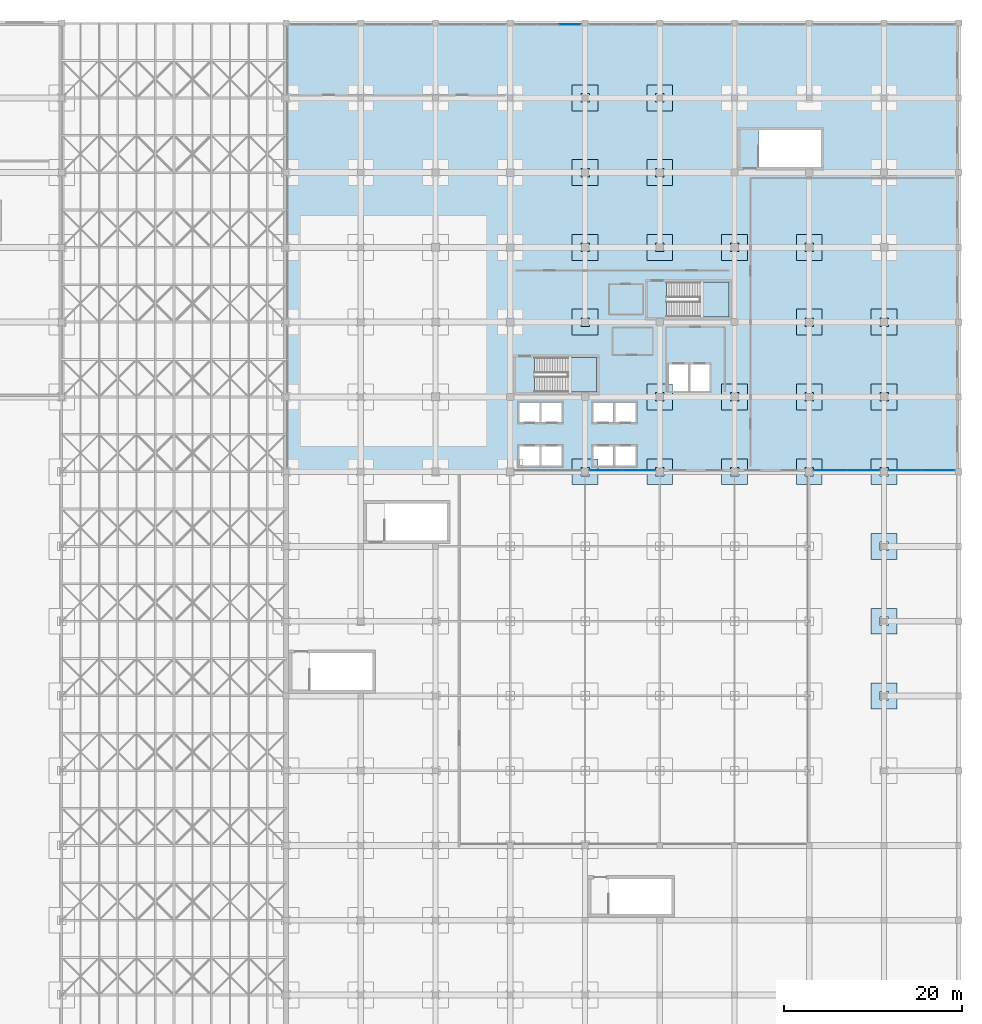
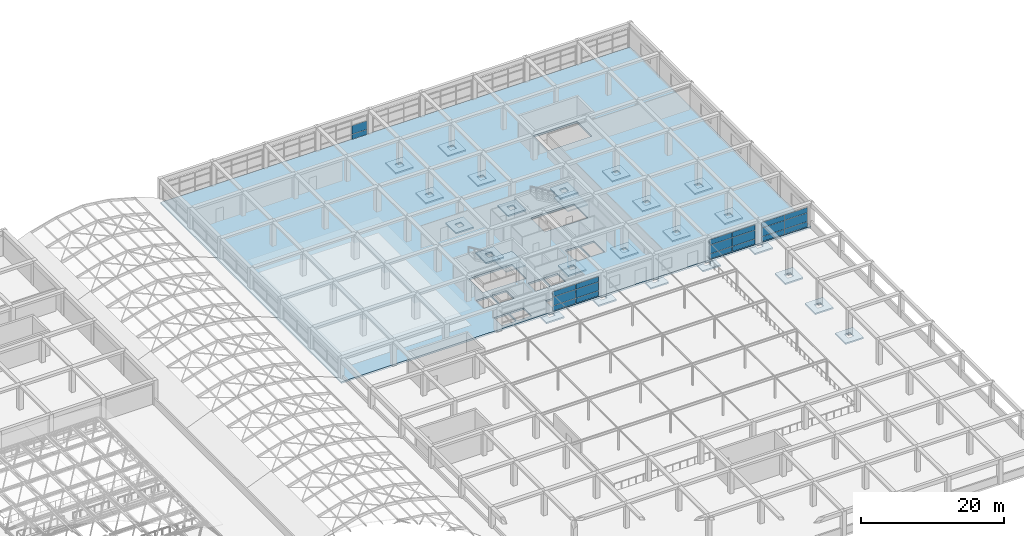
# One storey, part 71 of 85: 26 slabs, 20 plates, 6 elements without a shape of their own.
"""IFC4 building model written with IfcOpenShell, lengths in metres."""

from ifc_helpers import new_model, si_unit, direction, frame, origin, origin_2d, place, context, subcontext, project, spatial, polyline, rectangle, outline, extrude, material, layer, layer_set, type_object, element, aggregate, save


model = new_model("IFC4")

# Units and contexts
model_context = context("Model", 3, precision=1e-05, world=origin(), true_north=direction((0.0, 1.0)))
body_context = subcontext(model_context, "Body", "Model", "MODEL_VIEW")
ifc_project = project(units=[si_unit("LENGTHUNIT", "METRE"), si_unit("AREAUNIT", "SQUARE_METRE"), si_unit("VOLUMEUNIT", "CUBIC_METRE"), si_unit("PLANEANGLEUNIT", "RADIAN"), si_unit("MASSUNIT", "GRAM", prefix="KILO")], contexts=[model_context])

# Site, building, storey
site_placement = place(None, origin())
site = spatial("IfcSite", under=ifc_project, at=site_placement, CompositionType="ELEMENT")
building_placement = place(site_placement, origin())
building = spatial("IfcBuilding", under=site, at=building_placement, Name="Almacenes y Pasaje Nevantli", CompositionType="ELEMENT")
storey_placement = place(building_placement, frame((0.0, 0.0, 22.199951171875)))
storey = spatial("IfcBuildingStorey", under=building, at=storey_placement, Name="L05", CompositionType="ELEMENT", Elevation=22.199951171875)

# Curtain wall, plates
ifc_material_1 = material(Name="Thermally Broken Aluminium and Low-E Glass", Category="aluminium")
curtain_wall_type_1 = type_object("IfcCurtainWallType", Name="CW-UNIT-PODIUM", PredefinedType="USERDEFINED", material=ifc_material_1)
curtain_wall_1_placement = place(storey_placement, origin())
curtain_wall_1 = element("IfcCurtainWall", 1, at=curtain_wall_1_placement, inside=storey, type_object=curtain_wall_type_1, Name="L05 Sky-Lobby North Curtain Wall Bay 15", ObjectType="UNITIZED CURTAIN WALL", PredefinedType="USERDEFINED")
ifc_material_2 = material(Name="Low-E Double Glazed Insulated Unit", Category="glass")
ifc_layer_1 = layer(ifc_material_2, 0.031982421875)
ifc_layer_set_1 = layer_set([ifc_layer_1], Name="Low-E Double Glazed Insulated Unit")
plate_type = type_object("IfcPlateType", Name="PL-IGU-32", PredefinedType="CURTAIN_PANEL", material=ifc_layer_set_1)
plate_1_placement = place(storey_placement, frame((124.2861328125, 117.449951171875, 0.05517578125), z_axis=(0.0, 0.0, 1.0), x_axis=(1.0, 0.0, 0.0)))
plate_1 = element("IfcPlate", 2, at=plate_1_placement, type_object=plate_type, Name="CW-L05-086 panel 3.1", PredefinedType="CURTAIN_PANEL", context=body_context, shape_type="SweptSolid", body=[
    extrude(rectangle(XDim=2.41748046875, YDim=0.031982421875, at=origin_2d()), origin(), (0.0, 0.0, 1.0), 0.8173828125),
])
plate_2_placement = place(storey_placement, frame((124.2861328125, 117.449951171875, 0.927734375), z_axis=(0.0, 0.0, 1.0), x_axis=(1.0, 0.0, 0.0)))
plate_2 = element("IfcPlate", 3, at=plate_2_placement, type_object=plate_type, Name="CW-L05-086 panel 3.2", PredefinedType="CURTAIN_PANEL", context=body_context, shape_type="SweptSolid", body=[
    extrude(rectangle(XDim=2.41748046875, YDim=0.031982421875, at=origin_2d()), origin(), (0.0, 0.0, 1.0), 1.445068359375),
])
aggregate(curtain_wall_1, [plate_1, plate_2])

ifc_material_3 = material(Name="Thermally Broken Aluminium and Low-E Glass", Category="aluminium")
curtain_wall_type_2 = type_object("IfcCurtainWallType", Name="CW-STF-ATRIUM", PredefinedType="USERDEFINED", material=ifc_material_3)
curtain_wall_2_placement = place(storey_placement, origin())
curtain_wall_2 = element("IfcCurtainWall", 4, at=curtain_wall_2_placement, inside=storey, type_object=curtain_wall_type_2, Name="L05 Sky-Lobby South Terrace Glazing Bay 16", ObjectType="STOREFRONT GLAZING", PredefinedType="USERDEFINED")
plate_3_placement = place(storey_placement, frame((128.3388671875, 67.35009765625, 0.05517578125), z_axis=(0.0, 0.0, 1.0), x_axis=(1.0, 0.0, 0.0)))
plate_3 = element("IfcPlate", 5, at=plate_3_placement, type_object=plate_type, Name="CW-L05-089 panel 1.1", PredefinedType="CURTAIN_PANEL", context=body_context, shape_type="SweptSolid", body=[
    extrude(rectangle(XDim=3.66748046875, YDim=0.031982421875, at=origin_2d()), origin(), (0.0, 0.0, 1.0), 0.8173828125),
])
plate_4_placement = place(storey_placement, frame((128.3388671875, 67.35009765625, 0.927734375), z_axis=(0.0, 0.0, 1.0), x_axis=(1.0, 0.0, 0.0)))
plate_4 = element("IfcPlate", 6, at=plate_4_placement, type_object=plate_type, Name="CW-L05-089 panel 1.2", PredefinedType="CURTAIN_PANEL", context=body_context, shape_type="SweptSolid", body=[
    extrude(rectangle(XDim=3.66748046875, YDim=0.031982421875, at=origin_2d()), origin(), (0.0, 0.0, 1.0), 1.445068359375),
])
plate_5_placement = place(storey_placement, frame((128.3388671875, 67.35009765625, 2.427734375), z_axis=(0.0, 0.0, 1.0), x_axis=(1.0, 0.0, 0.0)))
plate_5 = element("IfcPlate", 7, at=plate_5_placement, type_object=plate_type, Name="CW-L05-089 panel 1.3", PredefinedType="CURTAIN_PANEL", context=body_context, shape_type="SweptSolid", body=[
    extrude(rectangle(XDim=3.66748046875, YDim=0.031982421875, at=origin_2d()), origin(), (0.0, 0.0, 1.0), 0.887451171875),
])
plate_6_placement = place(storey_placement, frame((132.061279296875, 67.35009765625, 0.05517578125), z_axis=(0.0, 0.0, 1.0), x_axis=(1.0, 0.0, 0.0)))
plate_6 = element("IfcPlate", 8, at=plate_6_placement, type_object=plate_type, Name="CW-L05-089 panel 2.1", PredefinedType="CURTAIN_PANEL", context=body_context, shape_type="SweptSolid", body=[
    extrude(rectangle(XDim=3.66748046875, YDim=0.031982421875, at=origin_2d()), origin(), (0.0, 0.0, 1.0), 0.8173828125),
])
plate_7_placement = place(storey_placement, frame((132.061279296875, 67.35009765625, 0.927734375), z_axis=(0.0, 0.0, 1.0), x_axis=(1.0, 0.0, 0.0)))
plate_7 = element("IfcPlate", 9, at=plate_7_placement, type_object=plate_type, Name="CW-L05-089 panel 2.2", PredefinedType="CURTAIN_PANEL", context=body_context, shape_type="SweptSolid", body=[
    extrude(rectangle(XDim=3.66748046875, YDim=0.031982421875, at=origin_2d()), origin(), (0.0, 0.0, 1.0), 1.445068359375),
])
plate_8_placement = place(storey_placement, frame((132.061279296875, 67.35009765625, 2.427734375), z_axis=(0.0, 0.0, 1.0), x_axis=(1.0, 0.0, 0.0)))
plate_8 = element("IfcPlate", 10, at=plate_8_placement, type_object=plate_type, Name="CW-L05-089 panel 2.3", PredefinedType="CURTAIN_PANEL", context=body_context, shape_type="SweptSolid", body=[
    extrude(rectangle(XDim=3.66748046875, YDim=0.031982421875, at=origin_2d()), origin(), (0.0, 0.0, 1.0), 0.887451171875),
])
aggregate(curtain_wall_2, [plate_3, plate_4, plate_5, plate_6, plate_7, plate_8])

curtain_wall_3_placement = place(storey_placement, origin())
curtain_wall_3 = element("IfcCurtainWall", 11, at=curtain_wall_3_placement, inside=storey, type_object=curtain_wall_type_2, Name="L05 Sky-Lobby South Terrace Glazing Bay 19", ObjectType="STOREFRONT GLAZING", PredefinedType="USERDEFINED")
plate_9_placement = place(storey_placement, frame((153.538818359375, 67.35009765625, 0.05517578125), z_axis=(0.0, 0.0, 1.0), x_axis=(1.0, 0.0, 0.0)))
plate_9 = element("IfcPlate", 12, at=plate_9_placement, type_object=plate_type, Name="CW-L05-093 panel 1.1", PredefinedType="CURTAIN_PANEL", context=body_context, shape_type="SweptSolid", body=[
    extrude(rectangle(XDim=3.66748046875, YDim=0.031982421875, at=origin_2d()), origin(), (0.0, 0.0, 1.0), 0.8173828125),
])
plate_10_placement = place(storey_placement, frame((153.538818359375, 67.35009765625, 0.927734375), z_axis=(0.0, 0.0, 1.0), x_axis=(1.0, 0.0, 0.0)))
plate_10 = element("IfcPlate", 13, at=plate_10_placement, type_object=plate_type, Name="CW-L05-093 panel 1.2", PredefinedType="CURTAIN_PANEL", context=body_context, shape_type="SweptSolid", body=[
    extrude(rectangle(XDim=3.66748046875, YDim=0.031982421875, at=origin_2d()), origin(), (0.0, 0.0, 1.0), 1.445068359375),
])
plate_11_placement = place(storey_placement, frame((153.538818359375, 67.35009765625, 2.427734375), z_axis=(0.0, 0.0, 1.0), x_axis=(1.0, 0.0, 0.0)))
plate_11 = element("IfcPlate", 14, at=plate_11_placement, type_object=plate_type, Name="CW-L05-093 panel 1.3", PredefinedType="CURTAIN_PANEL", context=body_context, shape_type="SweptSolid", body=[
    extrude(rectangle(XDim=3.66748046875, YDim=0.031982421875, at=origin_2d()), origin(), (0.0, 0.0, 1.0), 0.887451171875),
])
plate_12_placement = place(storey_placement, frame((157.26123046875, 67.35009765625, 0.05517578125), z_axis=(0.0, 0.0, 1.0), x_axis=(1.0, 0.0, 0.0)))
plate_12 = element("IfcPlate", 15, at=plate_12_placement, type_object=plate_type, Name="CW-L05-093 panel 2.1", PredefinedType="CURTAIN_PANEL", context=body_context, shape_type="SweptSolid", body=[
    extrude(rectangle(XDim=3.66748046875, YDim=0.031982421875, at=origin_2d()), origin(), (0.0, 0.0, 1.0), 0.8173828125),
])
plate_13_placement = place(storey_placement, frame((157.26123046875, 67.35009765625, 0.927734375), z_axis=(0.0, 0.0, 1.0), x_axis=(1.0, 0.0, 0.0)))
plate_13 = element("IfcPlate", 16, at=plate_13_placement, type_object=plate_type, Name="CW-L05-093 panel 2.2", PredefinedType="CURTAIN_PANEL", context=body_context, shape_type="SweptSolid", body=[
    extrude(rectangle(XDim=3.66748046875, YDim=0.031982421875, at=origin_2d()), origin(), (0.0, 0.0, 1.0), 1.445068359375),
])
plate_14_placement = place(storey_placement, frame((157.26123046875, 67.35009765625, 2.427734375), z_axis=(0.0, 0.0, 1.0), x_axis=(1.0, 0.0, 0.0)))
plate_14 = element("IfcPlate", 17, at=plate_14_placement, type_object=plate_type, Name="CW-L05-093 panel 2.3", PredefinedType="CURTAIN_PANEL", context=body_context, shape_type="SweptSolid", body=[
    extrude(rectangle(XDim=3.66748046875, YDim=0.031982421875, at=origin_2d()), origin(), (0.0, 0.0, 1.0), 0.887451171875),
])
aggregate(curtain_wall_3, [plate_9, plate_10, plate_11, plate_12, plate_13, plate_14])

curtain_wall_4_placement = place(storey_placement, origin())
curtain_wall_4 = element("IfcCurtainWall", 18, at=curtain_wall_4_placement, inside=storey, type_object=curtain_wall_type_2, Name="L05 Sky-Lobby South Terrace Glazing Bay 20", ObjectType="STOREFRONT GLAZING", PredefinedType="USERDEFINED")
plate_15_placement = place(storey_placement, frame((161.938720703125, 67.35009765625, 0.05517578125), z_axis=(0.0, 0.0, 1.0), x_axis=(1.0, 0.0, 0.0)))
plate_15 = element("IfcPlate", 19, at=plate_15_placement, type_object=plate_type, Name="CW-L05-095 panel 1.1", PredefinedType="CURTAIN_PANEL", context=body_context, shape_type="SweptSolid", body=[
    extrude(rectangle(XDim=3.66748046875, YDim=0.031982421875, at=origin_2d()), origin(), (0.0, 0.0, 1.0), 0.8173828125),
])
plate_16_placement = place(storey_placement, frame((161.938720703125, 67.35009765625, 0.927734375), z_axis=(0.0, 0.0, 1.0), x_axis=(1.0, 0.0, 0.0)))
plate_16 = element("IfcPlate", 20, at=plate_16_placement, type_object=plate_type, Name="CW-L05-095 panel 1.2", PredefinedType="CURTAIN_PANEL", context=body_context, shape_type="SweptSolid", body=[
    extrude(rectangle(XDim=3.66748046875, YDim=0.031982421875, at=origin_2d()), origin(), (0.0, 0.0, 1.0), 1.445068359375),
])
plate_17_placement = place(storey_placement, frame((161.938720703125, 67.35009765625, 2.427734375), z_axis=(0.0, 0.0, 1.0), x_axis=(1.0, 0.0, 0.0)))
plate_17 = element("IfcPlate", 21, at=plate_17_placement, type_object=plate_type, Name="CW-L05-095 panel 1.3", PredefinedType="CURTAIN_PANEL", context=body_context, shape_type="SweptSolid", body=[
    extrude(rectangle(XDim=3.66748046875, YDim=0.031982421875, at=origin_2d()), origin(), (0.0, 0.0, 1.0), 0.887451171875),
])
plate_18_placement = place(storey_placement, frame((165.6611328125, 67.35009765625, 0.05517578125), z_axis=(0.0, 0.0, 1.0), x_axis=(1.0, 0.0, 0.0)))
plate_18 = element("IfcPlate", 22, at=plate_18_placement, type_object=plate_type, Name="CW-L05-095 panel 2.1", PredefinedType="CURTAIN_PANEL", context=body_context, shape_type="SweptSolid", body=[
    extrude(rectangle(XDim=3.66748046875, YDim=0.031982421875, at=origin_2d()), origin(), (0.0, 0.0, 1.0), 0.8173828125),
])
plate_19_placement = place(storey_placement, frame((165.6611328125, 67.35009765625, 0.927734375), z_axis=(0.0, 0.0, 1.0), x_axis=(1.0, 0.0, 0.0)))
plate_19 = element("IfcPlate", 23, at=plate_19_placement, type_object=plate_type, Name="CW-L05-095 panel 2.2", PredefinedType="CURTAIN_PANEL", context=body_context, shape_type="SweptSolid", body=[
    extrude(rectangle(XDim=3.66748046875, YDim=0.031982421875, at=origin_2d()), origin(), (0.0, 0.0, 1.0), 1.445068359375),
])
plate_20_placement = place(storey_placement, frame((165.6611328125, 67.35009765625, 2.427734375), z_axis=(0.0, 0.0, 1.0), x_axis=(1.0, 0.0, 0.0)))
plate_20 = element("IfcPlate", 24, at=plate_20_placement, type_object=plate_type, Name="CW-L05-095 panel 2.3", PredefinedType="CURTAIN_PANEL", context=body_context, shape_type="SweptSolid", body=[
    extrude(rectangle(XDim=3.66748046875, YDim=0.031982421875, at=origin_2d()), origin(), (0.0, 0.0, 1.0), 0.887451171875),
])
aggregate(curtain_wall_4, [plate_15, plate_16, plate_17, plate_18, plate_19, plate_20])

# Slabs
ifc_material_4 = material(Name="Concrete C35/45", Category="concrete")
ifc_layer_2 = layer(ifc_material_4, 0.25)
ifc_layer_set_2 = layer_set([ifc_layer_2], Name="Concrete C35/45")
slab_type_1 = type_object("IfcSlabType", Name="SLB-DP-250", PredefinedType="USERDEFINED", material=ifc_layer_set_2)
slab_1_placement = place(storey_placement, frame((0.0, 0.0, -0.550048828125)))
element("IfcSlab", 25, at=slab_1_placement, inside=storey, type_object=slab_type_1, Name="L05 Punching-Shear Drop Panel DP-02 #1058", ObjectType="DROP PANEL", PredefinedType="USERDEFINED", context=body_context, shape_type="SweptSolid", body=[
    extrude(outline(polyline([(124.550048828125, 65.75), (127.449951171875, 65.75), (127.449951171875, 68.64990234375), (124.550048828125, 68.64990234375), (124.550048828125, 65.75)]), holes=[polyline([(125.52001953125, 66.719970703125), (126.47998046875, 66.719970703125), (126.47998046875, 67.679931640625), (125.52001953125, 67.679931640625), (125.52001953125, 66.719970703125)])]), origin(), (0.0, 0.0, 1.0), 0.25),
])
slab_2_placement = place(storey_placement, frame((0.0, 0.0, -0.550048828125)))
element("IfcSlab", 26, at=slab_2_placement, inside=storey, type_object=slab_type_1, Name="L05 Punching-Shear Drop Panel DP-02 #1059", ObjectType="DROP PANEL", PredefinedType="USERDEFINED", context=body_context, shape_type="SweptSolid", body=[
    extrude(outline(polyline([(124.550048828125, 82.550048828125), (127.449951171875, 82.550048828125), (127.449951171875, 85.449951171875), (124.550048828125, 85.449951171875), (124.550048828125, 82.550048828125)]), holes=[polyline([(125.52001953125, 83.52001953125), (126.47998046875, 83.52001953125), (126.47998046875, 84.47998046875), (125.52001953125, 84.47998046875), (125.52001953125, 83.52001953125)])]), origin(), (0.0, 0.0, 1.0), 0.25),
])
slab_3_placement = place(storey_placement, frame((0.0, 0.0, -0.550048828125)))
element("IfcSlab", 27, at=slab_3_placement, inside=storey, type_object=slab_type_1, Name="L05 Punching-Shear Drop Panel DP-02 #1060", ObjectType="DROP PANEL", PredefinedType="USERDEFINED", context=body_context, shape_type="SweptSolid", body=[
    extrude(outline(polyline([(124.550048828125, 90.949951171875), (127.449951171875, 90.949951171875), (127.449951171875, 93.85009765625), (124.550048828125, 93.85009765625), (124.550048828125, 90.949951171875)]), holes=[polyline([(125.52001953125, 91.919921875), (126.47998046875, 91.919921875), (126.47998046875, 92.8798828125), (125.52001953125, 92.8798828125), (125.52001953125, 91.919921875)])]), origin(), (0.0, 0.0, 1.0), 0.25),
])
slab_4_placement = place(storey_placement, frame((0.0, 0.0, -0.550048828125)))
element("IfcSlab", 28, at=slab_4_placement, inside=storey, type_object=slab_type_1, Name="L05 Punching-Shear Drop Panel DP-02 #1061", ObjectType="DROP PANEL", PredefinedType="USERDEFINED", context=body_context, shape_type="SweptSolid", body=[
    extrude(outline(polyline([(124.550048828125, 99.35009765625), (127.449951171875, 99.35009765625), (127.449951171875, 102.25), (124.550048828125, 102.25), (124.550048828125, 99.35009765625)]), holes=[polyline([(125.52001953125, 100.320068359375), (126.47998046875, 100.320068359375), (126.47998046875, 101.280029296875), (125.52001953125, 101.280029296875), (125.52001953125, 100.320068359375)])]), origin(), (0.0, 0.0, 1.0), 0.25),
])
slab_5_placement = place(storey_placement, frame((0.0, 0.0, -0.550048828125)))
element("IfcSlab", 29, at=slab_5_placement, inside=storey, type_object=slab_type_1, Name="L05 Punching-Shear Drop Panel DP-02 #1062", ObjectType="DROP PANEL", PredefinedType="USERDEFINED", context=body_context, shape_type="SweptSolid", body=[
    extrude(outline(polyline([(124.550048828125, 107.75), (127.449951171875, 107.75), (127.449951171875, 110.64990234375), (124.550048828125, 110.64990234375), (124.550048828125, 107.75)]), holes=[polyline([(125.52001953125, 108.719970703125), (126.47998046875, 108.719970703125), (126.47998046875, 109.679931640625), (125.52001953125, 109.679931640625), (125.52001953125, 108.719970703125)])]), origin(), (0.0, 0.0, 1.0), 0.25),
])
slab_6_placement = place(storey_placement, frame((0.0, 0.0, -0.550048828125)))
element("IfcSlab", 30, at=slab_6_placement, inside=storey, type_object=slab_type_1, Name="L05 Punching-Shear Drop Panel DP-02 #1067", ObjectType="DROP PANEL", PredefinedType="USERDEFINED", context=body_context, shape_type="SweptSolid", body=[
    extrude(outline(polyline([(132.949951171875, 65.75), (135.85009765625, 65.75), (135.85009765625, 68.64990234375), (132.949951171875, 68.64990234375), (132.949951171875, 65.75)]), holes=[polyline([(133.919921875, 66.719970703125), (134.8798828125, 66.719970703125), (134.8798828125, 67.679931640625), (133.919921875, 67.679931640625), (133.919921875, 66.719970703125)])]), origin(), (0.0, 0.0, 1.0), 0.25),
])
slab_7_placement = place(storey_placement, frame((0.0, 0.0, -0.550048828125)))
element("IfcSlab", 31, at=slab_7_placement, inside=storey, type_object=slab_type_1, Name="L05 Punching-Shear Drop Panel DP-02 #1068", ObjectType="DROP PANEL", PredefinedType="USERDEFINED", context=body_context, shape_type="SweptSolid", body=[
    extrude(outline(polyline([(132.949951171875, 74.14990234375), (135.85009765625, 74.14990234375), (135.85009765625, 77.050048828125), (132.949951171875, 77.050048828125), (132.949951171875, 74.14990234375)]), holes=[polyline([(133.919921875, 75.1201171875), (134.8798828125, 75.1201171875), (134.8798828125, 76.080078125), (133.919921875, 76.080078125), (133.919921875, 75.1201171875)])]), origin(), (0.0, 0.0, 1.0), 0.25),
])
slab_8_placement = place(storey_placement, frame((0.0, 0.0, -0.550048828125)))
element("IfcSlab", 32, at=slab_8_placement, inside=storey, type_object=slab_type_1, Name="L05 Punching-Shear Drop Panel DP-02 #1069", ObjectType="DROP PANEL", PredefinedType="USERDEFINED", context=body_context, shape_type="SweptSolid", body=[
    extrude(outline(polyline([(132.949951171875, 90.949951171875), (135.85009765625, 90.949951171875), (135.85009765625, 93.85009765625), (132.949951171875, 93.85009765625), (132.949951171875, 90.949951171875)]), holes=[polyline([(133.919921875, 91.919921875), (134.8798828125, 91.919921875), (134.8798828125, 92.8798828125), (133.919921875, 92.8798828125), (133.919921875, 91.919921875)])]), origin(), (0.0, 0.0, 1.0), 0.25),
])
slab_9_placement = place(storey_placement, frame((0.0, 0.0, -0.550048828125)))
element("IfcSlab", 33, at=slab_9_placement, inside=storey, type_object=slab_type_1, Name="L05 Punching-Shear Drop Panel DP-02 #1070", ObjectType="DROP PANEL", PredefinedType="USERDEFINED", context=body_context, shape_type="SweptSolid", body=[
    extrude(outline(polyline([(132.949951171875, 99.35009765625), (135.85009765625, 99.35009765625), (135.85009765625, 102.25), (132.949951171875, 102.25), (132.949951171875, 99.35009765625)]), holes=[polyline([(133.919921875, 100.320068359375), (134.8798828125, 100.320068359375), (134.8798828125, 101.280029296875), (133.919921875, 101.280029296875), (133.919921875, 100.320068359375)])]), origin(), (0.0, 0.0, 1.0), 0.25),
])
slab_10_placement = place(storey_placement, frame((0.0, 0.0, -0.550048828125)))
element("IfcSlab", 34, at=slab_10_placement, inside=storey, type_object=slab_type_1, Name="L05 Punching-Shear Drop Panel DP-02 #1071", ObjectType="DROP PANEL", PredefinedType="USERDEFINED", context=body_context, shape_type="SweptSolid", body=[
    extrude(outline(polyline([(132.949951171875, 107.75), (135.85009765625, 107.75), (135.85009765625, 110.64990234375), (132.949951171875, 110.64990234375), (132.949951171875, 107.75)]), holes=[polyline([(133.919921875, 108.719970703125), (134.8798828125, 108.719970703125), (134.8798828125, 109.679931640625), (133.919921875, 109.679931640625), (133.919921875, 108.719970703125)])]), origin(), (0.0, 0.0, 1.0), 0.25),
])
slab_11_placement = place(storey_placement, frame((0.0, 0.0, -0.550048828125)))
element("IfcSlab", 35, at=slab_11_placement, inside=storey, type_object=slab_type_1, Name="L05 Punching-Shear Drop Panel DP-02 #1076", ObjectType="DROP PANEL", PredefinedType="USERDEFINED", context=body_context, shape_type="SweptSolid", body=[
    extrude(outline(polyline([(141.35009765625, 65.75), (144.25, 65.75), (144.25, 68.64990234375), (141.35009765625, 68.64990234375), (141.35009765625, 65.75)]), holes=[polyline([(142.320068359375, 66.719970703125), (143.280029296875, 66.719970703125), (143.280029296875, 67.679931640625), (142.320068359375, 67.679931640625), (142.320068359375, 66.719970703125)])]), origin(), (0.0, 0.0, 1.0), 0.25),
])
slab_12_placement = place(storey_placement, frame((0.0, 0.0, -0.550048828125)))
element("IfcSlab", 36, at=slab_12_placement, inside=storey, type_object=slab_type_1, Name="L05 Punching-Shear Drop Panel DP-02 #1077", ObjectType="DROP PANEL", PredefinedType="USERDEFINED", context=body_context, shape_type="SweptSolid", body=[
    extrude(outline(polyline([(141.35009765625, 74.14990234375), (144.25, 74.14990234375), (144.25, 77.050048828125), (141.35009765625, 77.050048828125), (141.35009765625, 74.14990234375)]), holes=[polyline([(142.320068359375, 75.1201171875), (143.280029296875, 75.1201171875), (143.280029296875, 76.080078125), (142.320068359375, 76.080078125), (142.320068359375, 75.1201171875)])]), origin(), (0.0, 0.0, 1.0), 0.25),
])
slab_13_placement = place(storey_placement, frame((0.0, 0.0, -0.550048828125)))
element("IfcSlab", 37, at=slab_13_placement, inside=storey, type_object=slab_type_1, Name="L05 Punching-Shear Drop Panel DP-02 #1078", ObjectType="DROP PANEL", PredefinedType="USERDEFINED", context=body_context, shape_type="SweptSolid", body=[
    extrude(outline(polyline([(141.35009765625, 90.949951171875), (144.25, 90.949951171875), (144.25, 93.85009765625), (141.35009765625, 93.85009765625), (141.35009765625, 90.949951171875)]), holes=[polyline([(142.320068359375, 91.919921875), (143.280029296875, 91.919921875), (143.280029296875, 92.8798828125), (142.320068359375, 92.8798828125), (142.320068359375, 91.919921875)])]), origin(), (0.0, 0.0, 1.0), 0.25),
])
slab_14_placement = place(storey_placement, frame((0.0, 0.0, -0.550048828125)))
element("IfcSlab", 38, at=slab_14_placement, inside=storey, type_object=slab_type_1, Name="L05 Punching-Shear Drop Panel DP-02 #1084", ObjectType="DROP PANEL", PredefinedType="USERDEFINED", context=body_context, shape_type="SweptSolid", body=[
    extrude(outline(polyline([(149.75, 65.75), (152.64990234375, 65.75), (152.64990234375, 68.64990234375), (149.75, 68.64990234375), (149.75, 65.75)]), holes=[polyline([(150.719970703125, 66.719970703125), (151.679931640625, 66.719970703125), (151.679931640625, 67.679931640625), (150.719970703125, 67.679931640625), (150.719970703125, 66.719970703125)])]), origin(), (0.0, 0.0, 1.0), 0.25),
])
slab_15_placement = place(storey_placement, frame((0.0, 0.0, -0.550048828125)))
element("IfcSlab", 39, at=slab_15_placement, inside=storey, type_object=slab_type_1, Name="L05 Punching-Shear Drop Panel DP-02 #1085", ObjectType="DROP PANEL", PredefinedType="USERDEFINED", context=body_context, shape_type="SweptSolid", body=[
    extrude(outline(polyline([(149.75, 74.14990234375), (152.64990234375, 74.14990234375), (152.64990234375, 77.050048828125), (149.75, 77.050048828125), (149.75, 74.14990234375)]), holes=[polyline([(150.719970703125, 75.1201171875), (151.679931640625, 75.1201171875), (151.679931640625, 76.080078125), (150.719970703125, 76.080078125), (150.719970703125, 75.1201171875)])]), origin(), (0.0, 0.0, 1.0), 0.25),
])
slab_16_placement = place(storey_placement, frame((0.0, 0.0, -0.550048828125)))
element("IfcSlab", 40, at=slab_16_placement, inside=storey, type_object=slab_type_1, Name="L05 Punching-Shear Drop Panel DP-02 #1086", ObjectType="DROP PANEL", PredefinedType="USERDEFINED", context=body_context, shape_type="SweptSolid", body=[
    extrude(outline(polyline([(149.75, 82.550048828125), (152.64990234375, 82.550048828125), (152.64990234375, 85.449951171875), (149.75, 85.449951171875), (149.75, 82.550048828125)]), holes=[polyline([(150.719970703125, 83.52001953125), (151.679931640625, 83.52001953125), (151.679931640625, 84.47998046875), (150.719970703125, 84.47998046875), (150.719970703125, 83.52001953125)])]), origin(), (0.0, 0.0, 1.0), 0.25),
])
slab_17_placement = place(storey_placement, frame((0.0, 0.0, -0.550048828125)))
element("IfcSlab", 41, at=slab_17_placement, inside=storey, type_object=slab_type_1, Name="L05 Punching-Shear Drop Panel DP-02 #1087", ObjectType="DROP PANEL", PredefinedType="USERDEFINED", context=body_context, shape_type="SweptSolid", body=[
    extrude(outline(polyline([(149.75, 90.949951171875), (152.64990234375, 90.949951171875), (152.64990234375, 93.85009765625), (149.75, 93.85009765625), (149.75, 90.949951171875)]), holes=[polyline([(150.719970703125, 91.919921875), (151.679931640625, 91.919921875), (151.679931640625, 92.8798828125), (150.719970703125, 92.8798828125), (150.719970703125, 91.919921875)])]), origin(), (0.0, 0.0, 1.0), 0.25),
])
slab_18_placement = place(storey_placement, frame((0.0, 0.0, -0.550048828125)))
element("IfcSlab", 42, at=slab_18_placement, inside=storey, type_object=slab_type_1, Name="L05 Punching-Shear Drop Panel DP-02 #1090", ObjectType="DROP PANEL", PredefinedType="USERDEFINED", context=body_context, shape_type="SweptSolid", body=[
    extrude(outline(polyline([(158.14990234375, 40.550048828125), (161.050048828125, 40.550048828125), (161.050048828125, 43.449951171875), (158.14990234375, 43.449951171875), (158.14990234375, 40.550048828125)]), holes=[polyline([(159.1201171875, 41.52001953125), (160.080078125, 41.52001953125), (160.080078125, 42.47998046875), (159.1201171875, 42.47998046875), (159.1201171875, 41.52001953125)])]), origin(), (0.0, 0.0, 1.0), 0.25),
])
slab_19_placement = place(storey_placement, frame((0.0, 0.0, -0.550048828125)))
element("IfcSlab", 43, at=slab_19_placement, inside=storey, type_object=slab_type_1, Name="L05 Punching-Shear Drop Panel DP-02 #1091", ObjectType="DROP PANEL", PredefinedType="USERDEFINED", context=body_context, shape_type="SweptSolid", body=[
    extrude(outline(polyline([(158.14990234375, 48.949951171875), (161.050048828125, 48.949951171875), (161.050048828125, 51.85009765625), (158.14990234375, 51.85009765625), (158.14990234375, 48.949951171875)]), holes=[polyline([(159.1201171875, 49.919921875), (160.080078125, 49.919921875), (160.080078125, 50.8798828125), (159.1201171875, 50.8798828125), (159.1201171875, 49.919921875)])]), origin(), (0.0, 0.0, 1.0), 0.25),
])
slab_20_placement = place(storey_placement, frame((0.0, 0.0, -0.550048828125)))
element("IfcSlab", 44, at=slab_20_placement, inside=storey, type_object=slab_type_1, Name="L05 Punching-Shear Drop Panel DP-02 #1092", ObjectType="DROP PANEL", PredefinedType="USERDEFINED", context=body_context, shape_type="SweptSolid", body=[
    extrude(outline(polyline([(158.14990234375, 57.35009765625), (161.050048828125, 57.35009765625), (161.050048828125, 60.25), (158.14990234375, 60.25), (158.14990234375, 57.35009765625)]), holes=[polyline([(159.1201171875, 58.320068359375), (160.080078125, 58.320068359375), (160.080078125, 59.280029296875), (159.1201171875, 59.280029296875), (159.1201171875, 58.320068359375)])]), origin(), (0.0, 0.0, 1.0), 0.25),
])
slab_21_placement = place(storey_placement, frame((0.0, 0.0, -0.550048828125)))
element("IfcSlab", 45, at=slab_21_placement, inside=storey, type_object=slab_type_1, Name="L05 Punching-Shear Drop Panel DP-02 #1093", ObjectType="DROP PANEL", PredefinedType="USERDEFINED", context=body_context, shape_type="SweptSolid", body=[
    extrude(outline(polyline([(158.14990234375, 65.75), (161.050048828125, 65.75), (161.050048828125, 68.64990234375), (158.14990234375, 68.64990234375), (158.14990234375, 65.75)]), holes=[polyline([(159.1201171875, 66.719970703125), (160.080078125, 66.719970703125), (160.080078125, 67.679931640625), (159.1201171875, 67.679931640625), (159.1201171875, 66.719970703125)])]), origin(), (0.0, 0.0, 1.0), 0.25),
])
slab_22_placement = place(storey_placement, frame((0.0, 0.0, -0.550048828125)))
element("IfcSlab", 46, at=slab_22_placement, inside=storey, type_object=slab_type_1, Name="L05 Punching-Shear Drop Panel DP-02 #1094", ObjectType="DROP PANEL", PredefinedType="USERDEFINED", context=body_context, shape_type="SweptSolid", body=[
    extrude(outline(polyline([(158.14990234375, 74.14990234375), (161.050048828125, 74.14990234375), (161.050048828125, 77.050048828125), (158.14990234375, 77.050048828125), (158.14990234375, 74.14990234375)]), holes=[polyline([(159.1201171875, 75.1201171875), (160.080078125, 75.1201171875), (160.080078125, 76.080078125), (159.1201171875, 76.080078125), (159.1201171875, 75.1201171875)])]), origin(), (0.0, 0.0, 1.0), 0.25),
])
slab_23_placement = place(storey_placement, frame((0.0, 0.0, -0.550048828125)))
element("IfcSlab", 47, at=slab_23_placement, inside=storey, type_object=slab_type_1, Name="L05 Punching-Shear Drop Panel DP-02 #1095", ObjectType="DROP PANEL", PredefinedType="USERDEFINED", context=body_context, shape_type="SweptSolid", body=[
    extrude(outline(polyline([(158.14990234375, 82.550048828125), (161.050048828125, 82.550048828125), (161.050048828125, 85.449951171875), (158.14990234375, 85.449951171875), (158.14990234375, 82.550048828125)]), holes=[polyline([(159.1201171875, 83.52001953125), (160.080078125, 83.52001953125), (160.080078125, 84.47998046875), (159.1201171875, 84.47998046875), (159.1201171875, 83.52001953125)])]), origin(), (0.0, 0.0, 1.0), 0.25),
])
ifc_material_5 = material(Name="Concrete C35/45", Category="concrete")
ifc_layer_3 = layer(ifc_material_5, 0.300048828125)
ifc_layer_set_3 = layer_set([ifc_layer_3], Name="Concrete C35/45")
slab_type_2 = type_object("IfcSlabType", Name="SLB-FLR-300", PredefinedType="FLOOR", material=ifc_layer_set_3)
slab_24_placement = place(storey_placement, frame((0.0, 0.0, -0.300048828125)))
element("IfcSlab", 48, at=slab_24_placement, inside=storey, type_object=slab_type_2, Name="L05 Tower Sky-Lobby and Conference Floor Slab", PredefinedType="FLOOR", context=body_context, shape_type="SweptSolid", body=[
    extrude(outline(polyline([(92.39990234375, 67.199951171875), (168.0, 67.199951171875), (168.0, 117.60009765625), (92.39990234375, 117.60009765625), (92.39990234375, 67.199951171875)]), holes=[polyline([(120.31494140625, 76.14990234375), (127.300048828125, 76.14990234375), (127.300048828125, 80.0400390625), (120.31494140625, 80.0400390625), (120.31494140625, 76.14990234375)]), polyline([(135.1650390625, 84.60009765625), (142.14990234375, 84.60009765625), (142.14990234375, 88.489990234375), (135.1650390625, 88.489990234375), (135.1650390625, 84.60009765625)]), polyline([(145.514892578125, 101.449951171875), (152.5, 101.449951171875), (152.5, 105.60009765625), (145.514892578125, 105.60009765625), (145.514892578125, 101.449951171875)]), polyline([(126.89990234375, 67.85009765625), (129.199951171875, 67.85009765625), (129.199951171875, 70.050048828125), (126.89990234375, 70.050048828125), (126.89990234375, 67.85009765625)]), polyline([(129.39990234375, 67.85009765625), (131.699951171875, 67.85009765625), (131.699951171875, 70.050048828125), (129.39990234375, 70.050048828125), (129.39990234375, 67.85009765625)]), polyline([(126.89990234375, 72.75), (129.199951171875, 72.75), (129.199951171875, 74.949951171875), (126.89990234375, 74.949951171875), (126.89990234375, 72.75)]), polyline([(129.39990234375, 72.75), (131.699951171875, 72.75), (131.699951171875, 74.949951171875), (129.39990234375, 74.949951171875), (129.39990234375, 72.75)]), polyline([(118.60009765625, 67.85009765625), (120.89990234375, 67.85009765625), (120.89990234375, 70.050048828125), (118.60009765625, 70.050048828125), (118.60009765625, 67.85009765625)]), polyline([(121.10009765625, 67.85009765625), (123.39990234375, 67.85009765625), (123.39990234375, 70.050048828125), (121.10009765625, 70.050048828125), (121.10009765625, 67.85009765625)]), polyline([(118.60009765625, 72.75), (120.89990234375, 72.75), (120.89990234375, 74.949951171875), (118.60009765625, 74.949951171875), (118.60009765625, 72.75)]), polyline([(121.10009765625, 72.75), (123.39990234375, 72.75), (123.39990234375, 74.949951171875), (121.10009765625, 74.949951171875), (121.10009765625, 72.75)]), polyline([(135.39990234375, 76.25), (137.60009765625, 76.25), (137.60009765625, 79.25), (135.39990234375, 79.25), (135.39990234375, 76.25)]), polyline([(137.800048828125, 76.25), (140.0, 76.25), (140.0, 79.25), (137.800048828125, 79.25), (137.800048828125, 76.25)])]), origin(), (0.0, 0.0, 1.0), 0.300048828125),
])

# Stair, slab
ifc_material_6 = material(Name="Concrete C35/45", Category="concrete")
stair_type = type_object("IfcStairType", Name="STR-CORE-1720", PredefinedType="HALF_TURN_STAIR", material=ifc_material_6)
stair_1_placement = place(storey_placement, origin())
stair_1 = element("IfcStair", 49, at=stair_1_placement, inside=storey, type_object=stair_type, Name="L05 Staircase ST-01", PredefinedType="HALF_TURN_STAIR")
ifc_material_7 = material(Name="Concrete C35/45", Category="concrete")
ifc_layer_4 = layer(ifc_material_7, 0.199951171875)
ifc_layer_set_4 = layer_set([ifc_layer_4], Name="Concrete C35/45")
slab_type_3 = type_object("IfcSlabType", Name="SLB-LAND-200", PredefinedType="LANDING", material=ifc_layer_set_4)
slab_25_placement = place(storey_placement, frame((0.0, 0.0, 2.050048828125)))
slab_25 = element("IfcSlab", 50, at=slab_25_placement, type_object=slab_type_3, Name="ST-01-L05 landing 1", PredefinedType="LANDING", context=body_context, shape_type="SweptSolid", body=[
    extrude(outline(polyline([(124.054931640625, 76.14990234375), (127.300048828125, 76.14990234375), (127.300048828125, 80.0400390625), (124.054931640625, 80.0400390625), (124.054931640625, 76.14990234375)])), origin(), (0.0, 0.0, 1.0), 0.199951171875),
])
aggregate(stair_1, [slab_25])

stair_2_placement = place(storey_placement, origin())
stair_2 = element("IfcStair", 51, at=stair_2_placement, inside=storey, type_object=stair_type, Name="L05 Staircase ST-02", PredefinedType="HALF_TURN_STAIR")
slab_26_placement = place(storey_placement, frame((0.0, 0.0, 2.050048828125)))
slab_26 = element("IfcSlab", 52, at=slab_26_placement, type_object=slab_type_3, Name="ST-02-L05 landing 1", PredefinedType="LANDING", context=body_context, shape_type="SweptSolid", body=[
    extrude(outline(polyline([(138.905029296875, 84.60009765625), (142.14990234375, 84.60009765625), (142.14990234375, 88.489990234375), (138.905029296875, 88.489990234375), (138.905029296875, 84.60009765625)])), origin(), (0.0, 0.0, 1.0), 0.199951171875),
])
aggregate(stair_2, [slab_26])

save(model, "model.ifc")
